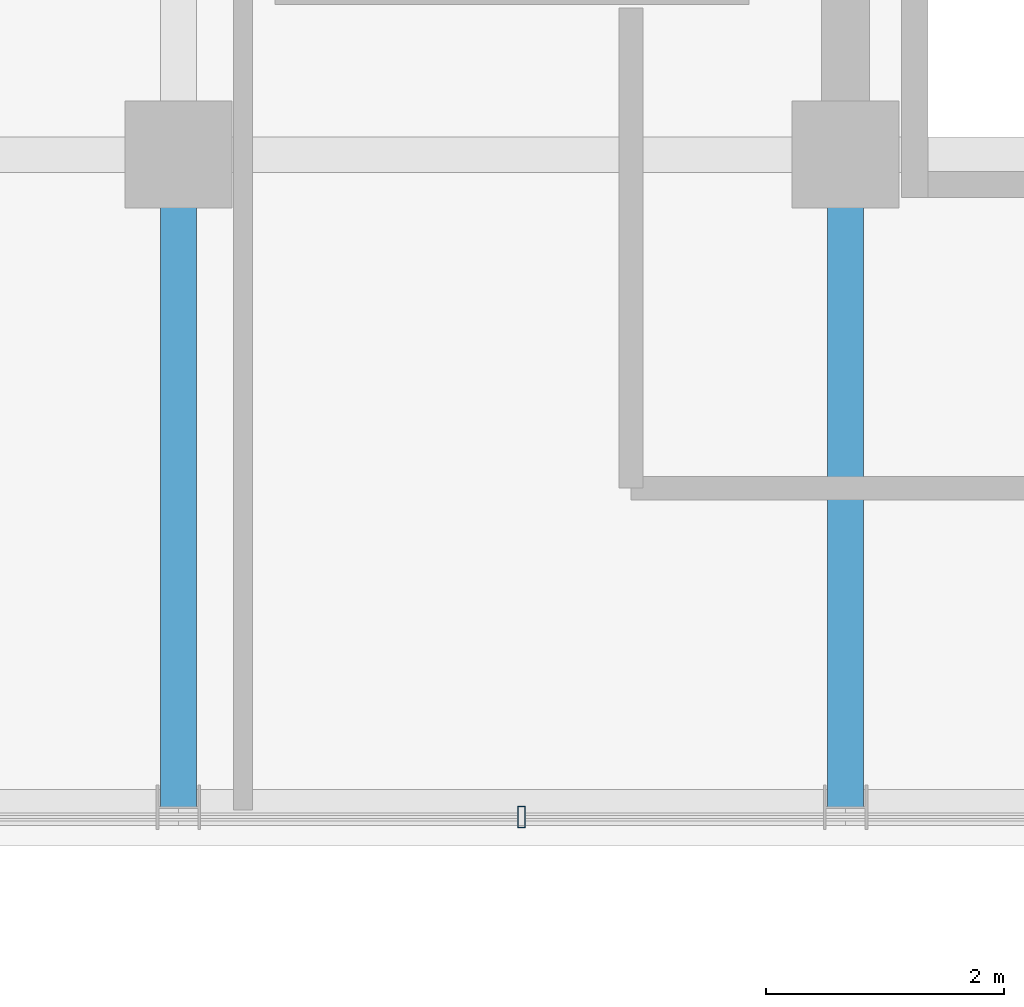
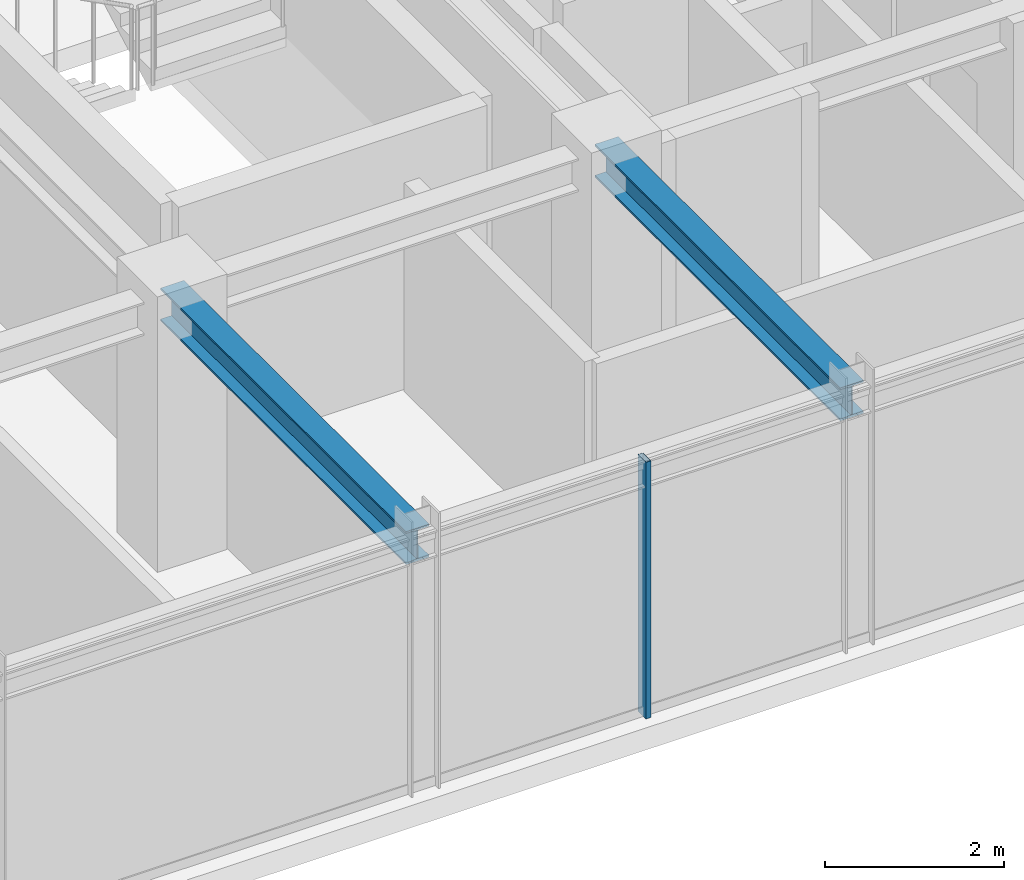
# One storey, part 7 of 32: 2 beams, 1 member, 1 element without a shape of its own.
"""IFC4 building model written with IfcOpenShell, lengths in metres."""

from ifc_helpers import new_model, si_unit, direction, frame, origin, origin_2d, place, context, subcontext, project, spatial, hollow_rectangle, i_section, extrude, source, transform, mapped, material, material_profile, profile_set, type_object, element, aggregate, save


model = new_model("IFC4")

# Units and contexts
model_context = context("Model", 3, precision=1e-05, world=origin(), true_north=direction((0.0, 1.0)))
body_context = subcontext(model_context, "Body", "Model", "MODEL_VIEW")
ifc_project = project(units=[si_unit("LENGTHUNIT", "METRE"), si_unit("AREAUNIT", "SQUARE_METRE"), si_unit("VOLUMEUNIT", "CUBIC_METRE"), si_unit("PLANEANGLEUNIT", "RADIAN"), si_unit("MASSUNIT", "GRAM", prefix="KILO")], contexts=[model_context])

# Site, building, storey
site_placement = place(None, origin())
site = spatial("IfcSite", under=ifc_project, at=site_placement, CompositionType="ELEMENT")
building_placement = place(site_placement, origin())
building = spatial("IfcBuilding", under=site, at=building_placement, Name="Nahalor Promenade Grand Hotel", CompositionType="ELEMENT")
storey_placement = place(building_placement, frame((0.0, 0.0, 330.949951171875)))
storey = spatial("IfcBuildingStorey", under=building, at=storey_placement, Name="L85", CompositionType="ELEMENT", Elevation=330.949951171875)

# Beams
ifc_material_1 = material(Name="Steel S355JR", Category="steel")
ifc_material_profile_1 = material_profile(ifc_material_1, i_section(OverallWidth=0.3, OverallDepth=0.45, WebThickness=0.014, FlangeThickness=0.026, at=origin_2d()), Name="HEB 450")
ifc_profile_set_1 = profile_set([ifc_material_profile_1], Name="Steel S355JR")
beam_type = type_object("IfcBeamType", Name="Beam-Girder-HEB450", PredefinedType="BEAM", material=ifc_profile_set_1)
shared_shape_1 = source(origin(), body_context, "Body", "SweptSolid", [
    extrude(i_section(OverallWidth=0.3, OverallDepth=0.45, WebThickness=0.014, FlangeThickness=0.026, at=origin_2d()), origin(), (0.0, 0.0, 1.0), 5.47998046875),
])
for number, where, z_axis, x_axis, name in (
    (1, (2.800048828125, -22.47998046875, 3.275146484375), (0.0, 1.0, 0.0), (-1.0, 0.0, 0.0), "BM-L85-GY-3-0"),
    (2, (8.39990234375, -22.47998046875, 3.275146484375), (0.0, 1.0, 0.0), (-1.0, 0.0, 0.0), "BM-L85-GY-4-0"),
):
    element("IfcBeam", number, at=place(storey_placement, frame(where, z_axis=z_axis, x_axis=x_axis)), inside=storey, type_object=beam_type, Name=name, PredefinedType="BEAM", context=body_context, shape_type="MappedRepresentation", body=[
        mapped(shared_shape_1, transform((0.0, 0.0, 0.0), scale=1.0)),
    ])

# Curtain wall, member
ifc_material_2 = material(Name="Anodised Bronze Aluminium EN AW-6063 T6", Category="aluminium")
curtain_wall_type = type_object("IfcCurtainWallType", Name="CW2 Typical Hotel Flush Bronze Unitised Curtain Wall", PredefinedType="USERDEFINED", material=ifc_material_2)
curtain_wall_placement = place(storey_placement, origin())
curtain_wall = element("IfcCurtainWall", 3, at=curtain_wall_placement, inside=storey, type_object=curtain_wall_type, Name="L85 Curtain Wall CW-L85-S-3", ObjectType="UNITISED_CURTAIN_WALL", PredefinedType="USERDEFINED")
ifc_material_profile_2 = material_profile(ifc_material_2, hollow_rectangle(XDim=0.065, YDim=0.18, WallThickness=0.004, at=origin_2d()), Name="CWM 65x180x4")
ifc_profile_set_2 = profile_set([ifc_material_profile_2], Name="Anodised Bronze Aluminium EN AW-6063 T6")
member_type = type_object("IfcMemberType", Name="CWM2 Typical Bronze Mullion 65x180", PredefinedType="MULLION", material=ifc_profile_set_2)
shared_shape_2 = source(origin(), body_context, "Body", "SweptSolid", [
    extrude(hollow_rectangle(XDim=0.065, YDim=0.18, WallThickness=0.004, at=origin_2d()), origin(), (0.0, 0.0, 1.0), 3.5),
])
member_placement = place(storey_placement, frame((5.679931640625, -22.56005859375, 0.0), z_axis=(0.0, 0.0, 1.0), x_axis=(1.0, 0.0, 0.0)))
member = element("IfcMember", 4, at=member_placement, type_object=member_type, Name="CW-L85-S-3 Mullion 1", PredefinedType="MULLION", context=body_context, shape_type="MappedRepresentation", body=[
    mapped(shared_shape_2, transform((0.0, 0.0, 0.0), scale=1.0)),
])
aggregate(curtain_wall, [member])

save(model, "model.ifc")
